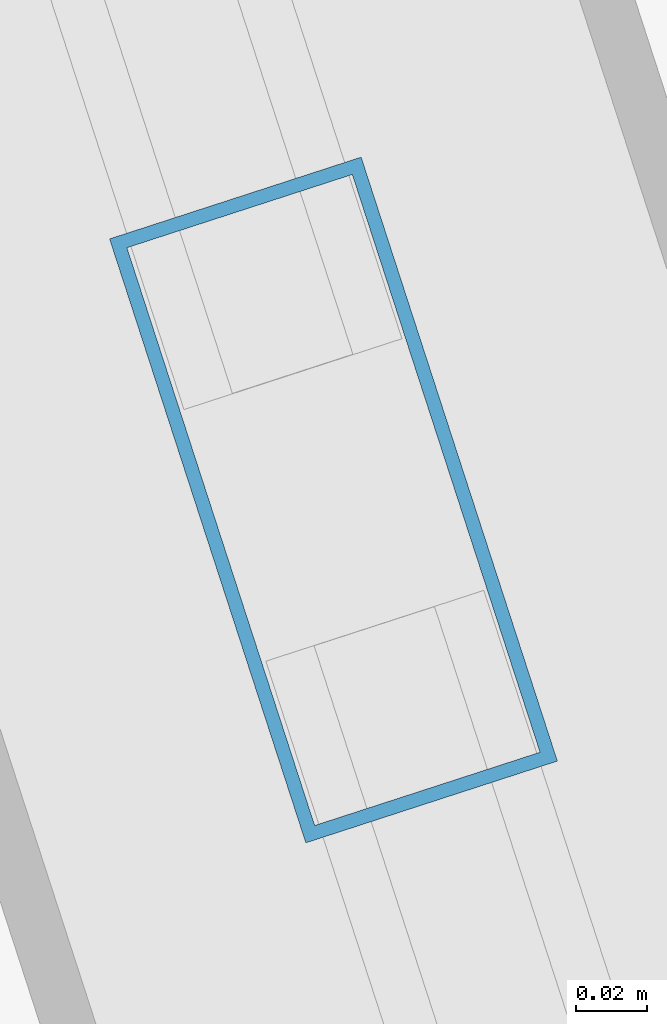
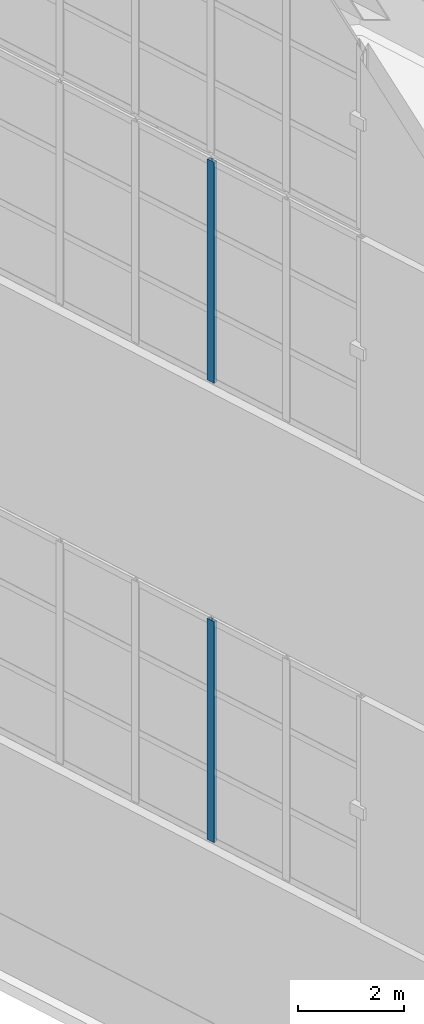
# One storey, part 19 of 56: 2 members, 2 elements without a shape of their own.
"""IFC4 building model written with IfcOpenShell, lengths in metres."""

from ifc_helpers import new_model, si_unit, direction, frame, origin, origin_2d, place, context, subcontext, project, spatial, hollow_rectangle, extrude, material, layer, layer_set, material_profile, profile_set, type_object, element, aggregate, save


model = new_model("IFC4")

# Units and contexts
model_context = context("Model", 3, precision=1e-05, world=origin(), true_north=direction((0.0, 1.0)))
body_context = subcontext(model_context, "Body", "Model", "MODEL_VIEW")
ifc_project = project(units=[si_unit("LENGTHUNIT", "METRE"), si_unit("AREAUNIT", "SQUARE_METRE"), si_unit("VOLUMEUNIT", "CUBIC_METRE"), si_unit("PLANEANGLEUNIT", "RADIAN"), si_unit("MASSUNIT", "GRAM", prefix="KILO")], contexts=[model_context])

# Site, building, storey
site_placement = place(None, origin())
site = spatial("IfcSite", under=ifc_project, at=site_placement, CompositionType="ELEMENT")
building_placement = place(site_placement, origin())
building = spatial("IfcBuilding", under=site, at=building_placement, Name="Qiaolan Cultural Towers", CompositionType="ELEMENT")
storey_placement = place(building_placement, frame((0.0, 0.0, 250.39990234375)))
storey = spatial("IfcBuildingStorey", under=building, at=storey_placement, Name="L68", CompositionType="ELEMENT", Elevation=250.39990234375)

# Curtain wall, member
ifc_material_1 = material(Name="Unitized Anodized Aluminium Curtain Wall System", Category="aluminium")
ifc_layer = layer(ifc_material_1, 0.199951171875)
ifc_layer_set = layer_set([ifc_layer], Name="Unitized Anodized Aluminium Curtain Wall System")
curtain_wall_type = type_object("IfcCurtainWallType", Name="CWS-06", PredefinedType="NOTDEFINED", material=ifc_layer_set)
curtain_wall_1_placement = place(storey_placement, origin())
curtain_wall_1 = element("IfcCurtainWall", 1, at=curtain_wall_1_placement, inside=storey, type_object=curtain_wall_type, Name="T2 Crown Tier 2 Fritted Screen Curtain Wall 7", PredefinedType="NOTDEFINED")
ifc_material_2 = material(Name="Extruded Aluminium 6063-T6", Category="aluminium")
ifc_material_profile = material_profile(ifc_material_2, hollow_rectangle(XDim=0.074951171875, YDim=0.179931640625, WallThickness=0.00390625, at=origin_2d()), Name="CWM-180x75x4")
ifc_profile_set = profile_set([ifc_material_profile], Name="Extruded Aluminium 6063-T6")
member_type = type_object("IfcMemberType", Name="CWS-06-MUL", PredefinedType="MULLION", material=ifc_profile_set)
member_1_placement = place(storey_placement, frame((77.421142578125, 27.89404296875, 5.400146484375), z_axis=(0.0, 0.0, 1.0), x_axis=(0.951056535512, 0.309016935232, 0.0)))
member_1 = element("IfcMember", 2, at=member_1_placement, type_object=member_type, Name="CW-6 mullion 5", PredefinedType="MULLION", context=body_context, shape_type="SweptSolid", body=[
    extrude(hollow_rectangle(XDim=0.074951171875, YDim=0.179931640625, WallThickness=0.00390625, at=origin_2d()), origin(), (0.0, 0.0, 1.0), 5.099853515625),
])
aggregate(curtain_wall_1, [member_1])

curtain_wall_2_placement = place(storey_placement, origin())
curtain_wall_2 = element("IfcCurtainWall", 3, at=curtain_wall_2_placement, inside=storey, type_object=curtain_wall_type, Name="T2 Crown Tier 4 Fritted Screen Curtain Wall 7", PredefinedType="NOTDEFINED")
member_2_placement = place(storey_placement, frame((77.421142578125, 27.89404296875, 16.0), z_axis=(0.0, 0.0, 1.0), x_axis=(0.951056535512, 0.309016935232, 0.0)))
member_2 = element("IfcMember", 4, at=member_2_placement, type_object=member_type, Name="CW-6 mullion 5", PredefinedType="MULLION", context=body_context, shape_type="SweptSolid", body=[
    extrude(hollow_rectangle(XDim=0.074951171875, YDim=0.179931640625, WallThickness=0.00390625, at=origin_2d()), origin(), (0.0, 0.0, 1.0), 5.10009765625),
])
aggregate(curtain_wall_2, [member_2])

save(model, "model.ifc")
